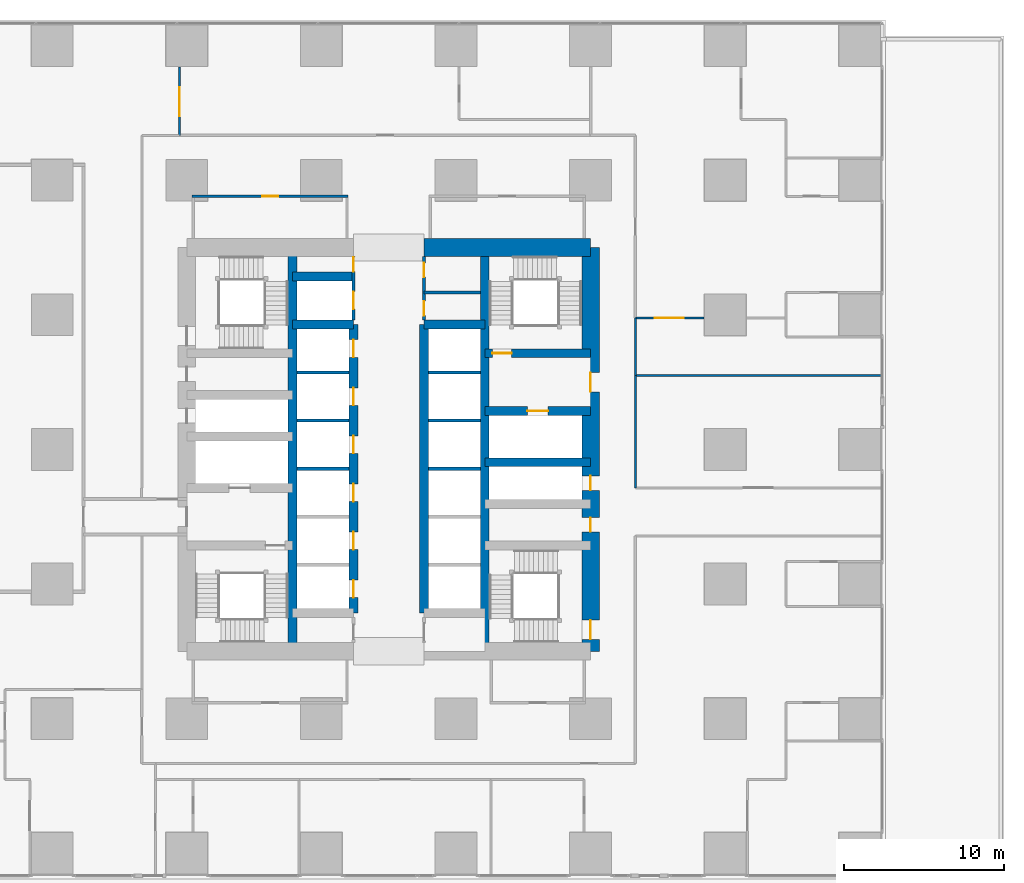
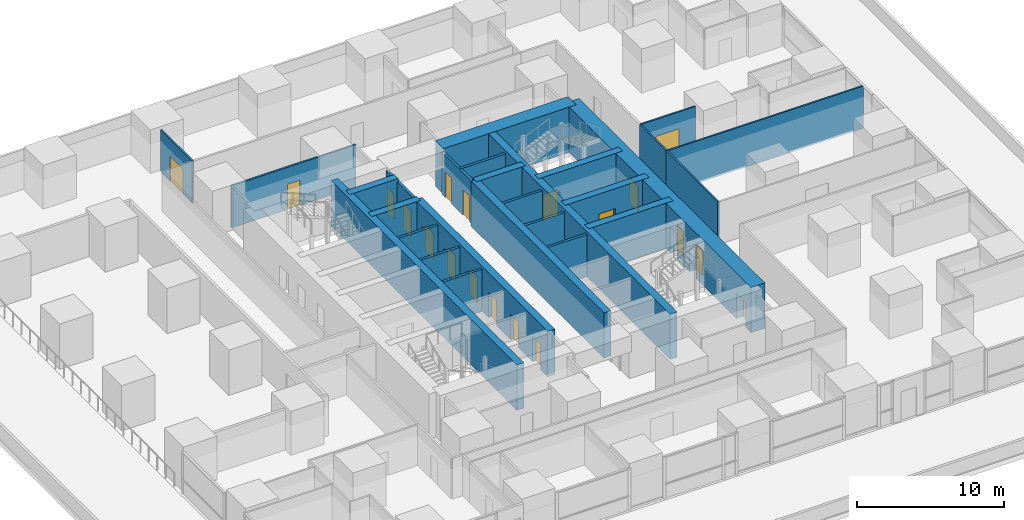
# One storey, part 24 of 35: 27 walls, 19 doors, 19 openings.
"""IFC4 building model written with IfcOpenShell, lengths in metres."""

from ifc_helpers import new_model, si_unit, direction, frame, frame_2d, origin, place, context, subcontext, project, spatial, rectangle, extrude, material, layer, layer_set, type_object, element, fill, save


model = new_model("IFC4")

# Units and contexts
model_context = context("Model", 3, precision=1e-05, world=origin(), true_north=direction((0.0, 1.0)))
body_context = subcontext(model_context, "Body", "Model", "MODEL_VIEW")
ifc_project = project(units=[si_unit("LENGTHUNIT", "METRE"), si_unit("AREAUNIT", "SQUARE_METRE"), si_unit("VOLUMEUNIT", "CUBIC_METRE"), si_unit("PLANEANGLEUNIT", "RADIAN"), si_unit("MASSUNIT", "GRAM", prefix="KILO")], contexts=[model_context])

# Site, building, storey
site_placement = place(None, origin())
site = spatial("IfcSite", under=ifc_project, at=site_placement, CompositionType="ELEMENT")
building_placement = place(site_placement, origin())
building = spatial("IfcBuilding", under=site, at=building_placement, Name="Rekha Terrace Tower", CompositionType="ELEMENT")
storey_placement = place(building_placement, frame((0.0, 0.0, 25.39990234375)))
storey = spatial("IfcBuildingStorey", under=building, at=storey_placement, Name="L05", CompositionType="ELEMENT", Elevation=25.39990234375)

# Walls
ifc_material_1 = material(Name="Concrete M70", Category="concrete")
ifc_layer_1 = layer(ifc_material_1, 0.550048828125)
ifc_layer_set_1 = layer_set([ifc_layer_1], Name="Concrete M70")
wall_type_1 = type_object("IfcWallType", Name="CI1 550 core internal shear wall", PredefinedType="SHEAR", material=ifc_layer_set_1)
for number, where, z_axis, x_axis, name in (
    (1, (31.800048828125, 21.0, 0.0), (0.0, 0.0, 1.0), (0.0, 1.0, 0.0), "Core wall X318 L05"),
    (2, (43.800048828125, 21.0, 0.0), (0.0, 0.0, 1.0), (0.0, 1.0, 0.0), "Core wall X438 L05"),
):
    element("IfcWall", number, at=place(storey_placement, frame(where, z_axis=z_axis, x_axis=x_axis)), inside=storey, type_object=wall_type_1, Name=name, PredefinedType="SHEAR", context=body_context, shape_type="SweptSolid", body=[
        extrude(rectangle(XDim=25.199951171875, YDim=0.550048828125, at=frame_2d((12.60009765625, 0.0))), origin(), (0.0, 0.0, 1.0), 3.75),
    ])

# Wall, openings, doors
wall_1_placement = place(storey_placement, frame((35.60009765625, 23.39990234375, 0.0), z_axis=(0.0, 0.0, 1.0), x_axis=(0.0, 1.0, 0.0)))
wall_1 = element("IfcWall", 3, at=wall_1_placement, inside=storey, type_object=wall_type_1, Name="Core wall X356 L05", PredefinedType="SHEAR", context=body_context, shape_type="SweptSolid", body=[
    extrude(rectangle(XDim=18.0, YDim=0.550048828125, at=frame_2d((9.0, 0.0))), origin(), (0.0, 0.0, 1.0), 3.75),
])
opening_1_placement = place(wall_1_placement, frame((0.949951171875, 0.0, 0.0)))
opening_1 = element("IfcOpeningElement", 4, at=opening_1_placement, cuts=wall_1, Name="Opening LD1", PredefinedType="OPENING", context=body_context, shape_type="SweptSolid", body=[
    extrude(rectangle(XDim=1.10009765625, YDim=2.10009765625, at=frame_2d((0.550048828125, 1.050048828125))), frame((0.0, 0.284912109375, 0.0), z_axis=(0.0, -1.0, 0.0), x_axis=(1.0, 0.0, 0.0)), (0.0, 0.0, 1.0), 0.570068359375),
])
opening_2_placement = place(wall_1_placement, frame((3.949951171875, 0.0, 0.0)))
opening_2 = element("IfcOpeningElement", 5, at=opening_2_placement, cuts=wall_1, Name="Opening LD1", PredefinedType="OPENING", context=body_context, shape_type="SweptSolid", body=[
    extrude(rectangle(XDim=1.10009765625, YDim=2.10009765625, at=frame_2d((0.550048828125, 1.050048828125))), frame((0.0, 0.284912109375, 0.0), z_axis=(0.0, -1.0, 0.0), x_axis=(1.0, 0.0, 0.0)), (0.0, 0.0, 1.0), 0.570068359375),
])
opening_3_placement = place(wall_1_placement, frame((6.949951171875, 0.0, 0.0)))
opening_3 = element("IfcOpeningElement", 6, at=opening_3_placement, cuts=wall_1, Name="Opening LD1", PredefinedType="OPENING", context=body_context, shape_type="SweptSolid", body=[
    extrude(rectangle(XDim=1.10009765625, YDim=2.10009765625, at=frame_2d((0.550048828125, 1.050048828125))), frame((0.0, 0.284912109375, 0.0), z_axis=(0.0, -1.0, 0.0), x_axis=(1.0, 0.0, 0.0)), (0.0, 0.0, 1.0), 0.570068359375),
])
opening_4_placement = place(wall_1_placement, frame((9.949951171875, 0.0, 0.0)))
opening_4 = element("IfcOpeningElement", 7, at=opening_4_placement, cuts=wall_1, Name="Opening LD1", PredefinedType="OPENING", context=body_context, shape_type="SweptSolid", body=[
    extrude(rectangle(XDim=1.10009765625, YDim=2.10009765625, at=frame_2d((0.550048828125, 1.050048828125))), frame((0.0, 0.284912109375, 0.0), z_axis=(0.0, -1.0, 0.0), x_axis=(1.0, 0.0, 0.0)), (0.0, 0.0, 1.0), 0.570068359375),
])
opening_5_placement = place(wall_1_placement, frame((12.949951171875, 0.0, 0.0)))
opening_5 = element("IfcOpeningElement", 8, at=opening_5_placement, cuts=wall_1, Name="Opening LD1", PredefinedType="OPENING", context=body_context, shape_type="SweptSolid", body=[
    extrude(rectangle(XDim=1.10009765625, YDim=2.10009765625, at=frame_2d((0.550048828125, 1.050048828125))), frame((0.0, 0.284912109375, 0.0), z_axis=(0.0, -1.0, 0.0), x_axis=(1.0, 0.0, 0.0)), (0.0, 0.0, 1.0), 0.570068359375),
])
opening_6_placement = place(wall_1_placement, frame((15.949951171875, 0.0, 0.0)))
opening_6 = element("IfcOpeningElement", 9, at=opening_6_placement, cuts=wall_1, Name="Opening LD1", PredefinedType="OPENING", context=body_context, shape_type="SweptSolid", body=[
    extrude(rectangle(XDim=1.10009765625, YDim=2.10009765625, at=frame_2d((0.550048828125, 1.050048828125))), frame((0.0, 0.284912109375, 0.0), z_axis=(0.0, -1.0, 0.0), x_axis=(1.0, 0.0, 0.0)), (0.0, 0.0, 1.0), 0.570068359375),
])
ifc_material_2 = material(Name="Stainless steel sliding landing door", Category="steel")
door_type_1 = type_object("IfcDoorType", Name="LD1 1100x2100 lift landing door", OperationType="SLIDING_TO_LEFT", PredefinedType="USERDEFINED", material=ifc_material_2)
door_1_placement = place(opening_1_placement, origin())
door_1 = element("IfcDoor", 10, at=door_1_placement, inside=storey, type_object=door_type_1, Name="Lift A1 landing door L05", ObjectType="LIFT LANDING DOOR", OperationType="SLIDING_TO_LEFT", OverallHeight=2.10009765625, OverallWidth=1.10009765625, PredefinedType="USERDEFINED", context=body_context, shape_type="SweptSolid", body=[
    extrude(rectangle(XDim=1.10009765625, YDim=2.10009765625, at=frame_2d((0.550048828125, 1.050048828125))), frame((0.0, 0.02490234375, 0.0), z_axis=(0.0, -1.0, 0.0), x_axis=(1.0, 0.0, 0.0)), (0.0, 0.0, 1.0), 0.050048828125),
])
fill(opening_1, door_1)
door_2_placement = place(opening_2_placement, origin())
door_2 = element("IfcDoor", 11, at=door_2_placement, inside=storey, type_object=door_type_1, Name="Lift A2 landing door L05", ObjectType="LIFT LANDING DOOR", OperationType="SLIDING_TO_LEFT", OverallHeight=2.10009765625, OverallWidth=1.10009765625, PredefinedType="USERDEFINED", context=body_context, shape_type="SweptSolid", body=[
    extrude(rectangle(XDim=1.10009765625, YDim=2.10009765625, at=frame_2d((0.550048828125, 1.050048828125))), frame((0.0, 0.02490234375, 0.0), z_axis=(0.0, -1.0, 0.0), x_axis=(1.0, 0.0, 0.0)), (0.0, 0.0, 1.0), 0.050048828125),
])
fill(opening_2, door_2)
door_3_placement = place(opening_3_placement, origin())
door_3 = element("IfcDoor", 12, at=door_3_placement, inside=storey, type_object=door_type_1, Name="Lift A3 landing door L05", ObjectType="LIFT LANDING DOOR", OperationType="SLIDING_TO_LEFT", OverallHeight=2.10009765625, OverallWidth=1.10009765625, PredefinedType="USERDEFINED", context=body_context, shape_type="SweptSolid", body=[
    extrude(rectangle(XDim=1.10009765625, YDim=2.10009765625, at=frame_2d((0.550048828125, 1.050048828125))), frame((0.0, 0.02490234375, 0.0), z_axis=(0.0, -1.0, 0.0), x_axis=(1.0, 0.0, 0.0)), (0.0, 0.0, 1.0), 0.050048828125),
])
fill(opening_3, door_3)
door_4_placement = place(opening_4_placement, origin())
door_4 = element("IfcDoor", 13, at=door_4_placement, inside=storey, type_object=door_type_1, Name="Lift A4 landing door L05", ObjectType="LIFT LANDING DOOR", OperationType="SLIDING_TO_LEFT", OverallHeight=2.10009765625, OverallWidth=1.10009765625, PredefinedType="USERDEFINED", context=body_context, shape_type="SweptSolid", body=[
    extrude(rectangle(XDim=1.10009765625, YDim=2.10009765625, at=frame_2d((0.550048828125, 1.050048828125))), frame((0.0, 0.02490234375, 0.0), z_axis=(0.0, -1.0, 0.0), x_axis=(1.0, 0.0, 0.0)), (0.0, 0.0, 1.0), 0.050048828125),
])
fill(opening_4, door_4)
door_5_placement = place(opening_5_placement, origin())
door_5 = element("IfcDoor", 14, at=door_5_placement, inside=storey, type_object=door_type_1, Name="Lift A5 landing door L05", ObjectType="LIFT LANDING DOOR", OperationType="SLIDING_TO_LEFT", OverallHeight=2.10009765625, OverallWidth=1.10009765625, PredefinedType="USERDEFINED", context=body_context, shape_type="SweptSolid", body=[
    extrude(rectangle(XDim=1.10009765625, YDim=2.10009765625, at=frame_2d((0.550048828125, 1.050048828125))), frame((0.0, 0.02490234375, 0.0), z_axis=(0.0, -1.0, 0.0), x_axis=(1.0, 0.0, 0.0)), (0.0, 0.0, 1.0), 0.050048828125),
])
fill(opening_5, door_5)
door_6_placement = place(opening_6_placement, origin())
door_6 = element("IfcDoor", 15, at=door_6_placement, inside=storey, type_object=door_type_1, Name="Lift A6 landing door L05", ObjectType="LIFT LANDING DOOR", OperationType="SLIDING_TO_LEFT", OverallHeight=2.10009765625, OverallWidth=1.10009765625, PredefinedType="USERDEFINED", context=body_context, shape_type="SweptSolid", body=[
    extrude(rectangle(XDim=1.10009765625, YDim=2.10009765625, at=frame_2d((0.550048828125, 1.050048828125))), frame((0.0, 0.02490234375, 0.0), z_axis=(0.0, -1.0, 0.0), x_axis=(1.0, 0.0, 0.0)), (0.0, 0.0, 1.0), 0.050048828125),
])
fill(opening_6, door_6)

# Walls
wall_2_placement = place(storey_placement, frame((40.0, 23.39990234375, 0.0), z_axis=(0.0, 0.0, 1.0), x_axis=(0.0, 1.0, 0.0)))
element("IfcWall", 16, at=wall_2_placement, inside=storey, type_object=wall_type_1, Name="Core wall X400 L05", PredefinedType="SHEAR", context=body_context, shape_type="SweptSolid", body=[
    extrude(rectangle(XDim=18.0, YDim=0.550048828125, at=frame_2d((9.0, 0.0))), origin(), (0.0, 0.0, 1.0), 3.75),
])
for number, where, z_axis, x_axis, name in (
    (17, (31.800048828125, 41.39990234375, 0.0), (0.0, 0.0, 1.0), (1.0, 0.0, 0.0), "Core wall Y414W L05"),
    (18, (31.800048828125, 44.39990234375, 0.0), (0.0, 0.0, 1.0), (1.0, 0.0, 0.0), "Core wall Y444W L05"),
    (19, (40.0, 41.39990234375, 0.0), (0.0, 0.0, 1.0), (1.0, 0.0, 0.0), "Core wall Y414E L05"),
):
    element("IfcWall", number, at=place(storey_placement, frame(where, z_axis=z_axis, x_axis=x_axis)), inside=storey, type_object=wall_type_1, Name=name, PredefinedType="SHEAR", context=body_context, shape_type="SweptSolid", body=[
        extrude(rectangle(XDim=3.800048828125, YDim=0.550048828125, at=frame_2d((1.89990234375, 0.0))), origin(), (0.0, 0.0, 1.0), 3.75),
    ])
wall_3_placement = place(storey_placement, frame((43.800048828125, 32.800048828125, 0.0), z_axis=(0.0, 0.0, 1.0), x_axis=(1.0, 0.0, 0.0)))
element("IfcWall", 20, at=wall_3_placement, inside=storey, type_object=wall_type_1, Name="Core wall Y328E L05", PredefinedType="SHEAR", context=body_context, shape_type="SweptSolid", body=[
    extrude(rectangle(XDim=6.599853515625, YDim=0.550048828125, at=frame_2d((3.2998046875, 0.0))), origin(), (0.0, 0.0, 1.0), 3.75),
])

# Wall, opening, door
wall_4_placement = place(storey_placement, frame((43.800048828125, 36.0, 0.0), z_axis=(0.0, 0.0, 1.0), x_axis=(1.0, 0.0, 0.0)))
wall_4 = element("IfcWall", 21, at=wall_4_placement, inside=storey, type_object=wall_type_1, Name="Core wall Y360E L05", PredefinedType="SHEAR", context=body_context, shape_type="SweptSolid", body=[
    extrude(rectangle(XDim=6.599853515625, YDim=0.550048828125, at=frame_2d((3.2998046875, 0.0))), origin(), (0.0, 0.0, 1.0), 3.75),
])
opening_7_placement = place(wall_4_placement, frame((2.64990234375, 0.0, 0.0)))
opening_7 = element("IfcOpeningElement", 22, at=opening_7_placement, cuts=wall_4, Name="Opening LD2", PredefinedType="OPENING", context=body_context, shape_type="SweptSolid", body=[
    extrude(rectangle(XDim=1.300048828125, YDim=2.10009765625, at=frame_2d((0.64990234375, 1.050048828125))), frame((0.0, 0.284912109375, 0.0), z_axis=(0.0, -1.0, 0.0), x_axis=(1.0, 0.0, 0.0)), (0.0, 0.0, 1.0), 0.570068359375),
])
door_type_2 = type_object("IfcDoorType", Name="LD2 1300x2100 fire lift landing door", OperationType="SLIDING_TO_LEFT", PredefinedType="USERDEFINED", material=ifc_material_2)
door_7_placement = place(opening_7_placement, origin())
door_7 = element("IfcDoor", 23, at=door_7_placement, inside=storey, type_object=door_type_2, Name="Lift FL2 landing door L05", ObjectType="LIFT LANDING DOOR", OperationType="SLIDING_TO_LEFT", OverallHeight=2.10009765625, OverallWidth=1.300048828125, PredefinedType="USERDEFINED", context=body_context, shape_type="SweptSolid", body=[
    extrude(rectangle(XDim=1.300048828125, YDim=2.10009765625, at=frame_2d((0.64990234375, 1.050048828125))), frame((0.0, 0.02490234375, 0.0), z_axis=(0.0, -1.0, 0.0), x_axis=(1.0, 0.0, 0.0)), (0.0, 0.0, 1.0), 0.050048828125),
])
fill(opening_7, door_7)

wall_5_placement = place(storey_placement, frame((43.800048828125, 39.60009765625, 0.0), z_axis=(0.0, 0.0, 1.0), x_axis=(1.0, 0.0, 0.0)))
wall_5 = element("IfcWall", 24, at=wall_5_placement, inside=storey, type_object=wall_type_1, Name="Core wall Y396E L05", PredefinedType="SHEAR", context=body_context, shape_type="SweptSolid", body=[
    extrude(rectangle(XDim=6.599853515625, YDim=0.550048828125, at=frame_2d((3.2998046875, 0.0))), origin(), (0.0, 0.0, 1.0), 3.75),
])
opening_8_placement = place(wall_5_placement, frame((0.47509765625, 0.0, 0.0)))
opening_8 = element("IfcOpeningElement", 25, at=opening_8_placement, cuts=wall_5, Name="Opening D1", PredefinedType="OPENING", context=body_context, shape_type="SweptSolid", body=[
    extrude(rectangle(XDim=1.199951171875, YDim=2.10009765625, at=frame_2d((0.60009765625, 1.050048828125))), frame((0.0, 0.284912109375, 0.0), z_axis=(0.0, -1.0, 0.0), x_axis=(1.0, 0.0, 0.0)), (0.0, 0.0, 1.0), 0.570068359375),
])
ifc_material_3 = material(Name="Steel fire door", Category="steel")
door_type_3 = type_object("IfcDoorType", Name="D1 1200x2100 stair fire door", OperationType="SINGLE_SWING_RIGHT", PredefinedType="DOOR", material=ifc_material_3)
door_8_placement = place(opening_8_placement, origin())
door_8 = element("IfcDoor", 26, at=door_8_placement, inside=storey, type_object=door_type_3, Name="Stair ST2 door L05", OperationType="SINGLE_SWING_RIGHT", OverallHeight=2.10009765625, OverallWidth=1.199951171875, PredefinedType="DOOR", context=body_context, shape_type="SweptSolid", body=[
    extrude(rectangle(XDim=1.199951171875, YDim=2.10009765625, at=frame_2d((0.60009765625, 1.050048828125))), frame((0.0, 0.02490234375, 0.0), z_axis=(0.0, -1.0, 0.0), x_axis=(1.0, 0.0, 0.0)), (0.0, 0.0, 1.0), 0.050048828125),
])
fill(opening_8, door_8)

# Wall
ifc_layer_2 = layer(ifc_material_1, 1.10009765625)
ifc_layer_set_2 = layer_set([ifc_layer_2], Name="Concrete M70")
wall_type_2 = type_object("IfcWallType", Name="SW1 1100 core outer shear wall", PredefinedType="SHEAR", material=ifc_layer_set_2)
wall_6_placement = place(storey_placement, frame((40.0, 46.199951171875, 0.0), z_axis=(0.0, 0.0, 1.0), x_axis=(1.0, 0.0, 0.0)))
element("IfcWall", 27, at=wall_6_placement, inside=storey, type_object=wall_type_2, Name="Core wall N2 L05", PredefinedType="SHEAR", context=body_context, shape_type="SweptSolid", body=[
    extrude(rectangle(XDim=10.39990234375, YDim=1.10009765625, at=frame_2d((5.199951171875, 0.0))), origin(), (0.0, 0.0, 1.0), 3.75),
])

# Wall, openings, doors
wall_7_placement = place(storey_placement, frame((50.39990234375, 21.0, 0.0), z_axis=(0.0, 0.0, 1.0), x_axis=(0.0, 1.0, 0.0)))
wall_7 = element("IfcWall", 28, at=wall_7_placement, inside=storey, type_object=wall_type_2, Name="Core wall E L05", PredefinedType="SHEAR", context=body_context, shape_type="SweptSolid", body=[
    extrude(rectangle(XDim=25.199951171875, YDim=1.10009765625, at=frame_2d((12.60009765625, 0.0))), origin(), (0.0, 0.0, 1.0), 3.75),
])
opening_9_placement = place(wall_7_placement, frame((16.199951171875, 0.0, 0.0)))
opening_9 = element("IfcOpeningElement", 29, at=opening_9_placement, cuts=wall_7, Name="Opening D2", PredefinedType="OPENING", context=body_context, shape_type="SweptSolid", body=[
    extrude(rectangle(XDim=1.199951171875, YDim=2.10009765625, at=frame_2d((0.60009765625, 1.050048828125))), frame((0.0, 0.56005859375, 0.0), z_axis=(0.0, -1.0, 0.0), x_axis=(1.0, 0.0, 0.0)), (0.0, 0.0, 1.0), 1.1201171875),
])
opening_10_placement = place(wall_7_placement, frame((10.050048828125, 0.0, 0.0)))
opening_10 = element("IfcOpeningElement", 30, at=opening_10_placement, cuts=wall_7, Name="Opening D5", PredefinedType="OPENING", context=body_context, shape_type="SweptSolid", body=[
    extrude(rectangle(XDim=0.89990234375, YDim=2.10009765625, at=frame_2d((0.449951171875, 1.050048828125))), frame((0.0, 0.56005859375, 0.0), z_axis=(0.0, -1.0, 0.0), x_axis=(1.0, 0.0, 0.0)), (0.0, 0.0, 1.0), 1.1201171875),
])
opening_11_placement = place(wall_7_placement, frame((7.449951171875, 0.0, 0.0)))
opening_11 = element("IfcOpeningElement", 31, at=opening_11_placement, cuts=wall_7, Name="Opening D5", PredefinedType="OPENING", context=body_context, shape_type="SweptSolid", body=[
    extrude(rectangle(XDim=0.89990234375, YDim=2.10009765625, at=frame_2d((0.449951171875, 1.050048828125))), frame((0.0, 0.56005859375, 0.0), z_axis=(0.0, -1.0, 0.0), x_axis=(1.0, 0.0, 0.0)), (0.0, 0.0, 1.0), 1.1201171875),
])
opening_12_placement = place(wall_7_placement, frame((0.75, 0.0, 0.0)))
opening_12 = element("IfcOpeningElement", 32, at=opening_12_placement, cuts=wall_7, Name="Opening D1", PredefinedType="OPENING", context=body_context, shape_type="SweptSolid", body=[
    extrude(rectangle(XDim=1.199951171875, YDim=2.10009765625, at=frame_2d((0.60009765625, 1.050048828125))), frame((0.0, 0.56005859375, 0.0), z_axis=(0.0, -1.0, 0.0), x_axis=(1.0, 0.0, 0.0)), (0.0, 0.0, 1.0), 1.1201171875),
])
door_9_placement = place(opening_12_placement, origin())
door_9 = element("IfcDoor", 33, at=door_9_placement, inside=storey, type_object=door_type_3, Name="Stair ST3 door L05", OperationType="SINGLE_SWING_RIGHT", OverallHeight=2.10009765625, OverallWidth=1.199951171875, PredefinedType="DOOR", context=body_context, shape_type="SweptSolid", body=[
    extrude(rectangle(XDim=1.199951171875, YDim=2.10009765625, at=frame_2d((0.60009765625, 1.050048828125))), frame((0.0, 0.02490234375, 0.0), z_axis=(0.0, -1.0, 0.0), x_axis=(1.0, 0.0, 0.0)), (0.0, 0.0, 1.0), 0.050048828125),
])
fill(opening_12, door_9)
door_type_4 = type_object("IfcDoorType", Name="D2 1200x2100 firefighting lobby door", OperationType="SINGLE_SWING_LEFT", PredefinedType="DOOR", material=ifc_material_3)
door_10_placement = place(opening_9_placement, origin())
door_10 = element("IfcDoor", 34, at=door_10_placement, inside=storey, type_object=door_type_4, Name="Door flb2 L05", OperationType="SINGLE_SWING_LEFT", OverallHeight=2.10009765625, OverallWidth=1.199951171875, PredefinedType="DOOR", context=body_context, shape_type="SweptSolid", body=[
    extrude(rectangle(XDim=1.199951171875, YDim=2.10009765625, at=frame_2d((0.60009765625, 1.050048828125))), frame((0.0, 0.02490234375, 0.0), z_axis=(0.0, -1.0, 0.0), x_axis=(1.0, 0.0, 0.0)), (0.0, 0.0, 1.0), 0.050048828125),
])
fill(opening_9, door_10)
door_type_5 = type_object("IfcDoorType", Name="D5 900x2100 riser access door", OperationType="SINGLE_SWING_LEFT", PredefinedType="DOOR", material=ifc_material_3)
door_11_placement = place(opening_10_placement, origin())
door_11 = element("IfcDoor", 35, at=door_11_placement, inside=storey, type_object=door_type_5, Name="Door rs2 L05", OperationType="SINGLE_SWING_LEFT", OverallHeight=2.10009765625, OverallWidth=0.89990234375, PredefinedType="DOOR", context=body_context, shape_type="SweptSolid", body=[
    extrude(rectangle(XDim=0.89990234375, YDim=2.10009765625, at=frame_2d((0.449951171875, 1.050048828125))), frame((0.0, 0.02490234375, 0.0), z_axis=(0.0, -1.0, 0.0), x_axis=(1.0, 0.0, 0.0)), (0.0, 0.0, 1.0), 0.050048828125),
])
fill(opening_10, door_11)
door_12_placement = place(opening_11_placement, origin())
door_12 = element("IfcDoor", 36, at=door_12_placement, inside=storey, type_object=door_type_5, Name="Door ele L05", OperationType="SINGLE_SWING_LEFT", OverallHeight=2.10009765625, OverallWidth=0.89990234375, PredefinedType="DOOR", context=body_context, shape_type="SweptSolid", body=[
    extrude(rectangle(XDim=0.89990234375, YDim=2.10009765625, at=frame_2d((0.449951171875, 1.050048828125))), frame((0.0, 0.02490234375, 0.0), z_axis=(0.0, -1.0, 0.0), x_axis=(1.0, 0.0, 0.0)), (0.0, 0.0, 1.0), 0.050048828125),
])
fill(opening_11, door_12)

# Wall, opening, door
ifc_material_4 = material(Name="Concrete block masonry, 1 hour", Category="masonry")
ifc_layer_3 = layer(ifc_material_4, 0.14990234375)
ifc_layer_set_3 = layer_set([ifc_layer_3], Name="Concrete block masonry, 1 hour")
wall_type_3 = type_object("IfcWallType", Name="WP2 150 tenancy partition", PredefinedType="PARTITIONING", material=ifc_layer_set_3)
wall_8_placement = place(storey_placement, frame((25.52490234375, 49.39990234375, 0.0), z_axis=(0.0, 0.0, 1.0), x_axis=(1.0, 0.0, 0.0)))
wall_8 = element("IfcWall", 37, at=wall_8_placement, inside=storey, type_object=wall_type_3, Name="Women's WC wall L05", PredefinedType="PARTITIONING", context=body_context, shape_type="SweptSolid", body=[
    extrude(rectangle(XDim=9.75, YDim=0.14990234375, at=frame_2d((4.875, 0.0))), origin(), (0.0, 0.0, 1.0), 3.5),
])
opening_13_placement = place(wall_8_placement, frame((4.375, 0.0, 0.0)))
opening_13 = element("IfcOpeningElement", 38, at=opening_13_placement, cuts=wall_8, Name="Opening D3", PredefinedType="OPENING", context=body_context, shape_type="SweptSolid", body=[
    extrude(rectangle(XDim=1.0, YDim=2.10009765625, at=frame_2d((0.5, 1.050048828125))), frame((0.0, 0.0849609375, 0.0), z_axis=(0.0, -1.0, 0.0), x_axis=(1.0, 0.0, 0.0)), (0.0, 0.0, 1.0), 0.169921875),
])
ifc_material_5 = material(Name="Laminated timber fire door", Category="wood")
door_type_6 = type_object("IfcDoorType", Name="D3 1000x2100 WC door", OperationType="SINGLE_SWING_LEFT", PredefinedType="DOOR", material=ifc_material_5)
door_13_placement = place(opening_13_placement, origin())
door_13 = element("IfcDoor", 39, at=door_13_placement, inside=storey, type_object=door_type_6, Name="Door women's wc L05", OperationType="SINGLE_SWING_LEFT", OverallHeight=2.10009765625, OverallWidth=1.0, PredefinedType="DOOR", context=body_context, shape_type="SweptSolid", body=[
    extrude(rectangle(XDim=1.0, YDim=2.10009765625, at=frame_2d((0.5, 1.050048828125))), frame((0.0, 0.02490234375, 0.0), z_axis=(0.0, -1.0, 0.0), x_axis=(1.0, 0.0, 0.0)), (0.0, 0.0, 1.0), 0.050048828125),
])
fill(opening_13, door_13)

# Walls
ifc_material_6 = material(Name="Two layers of fire-rated gypsum board each side on steel studs, acoustic quilt, 1 hour", Category="steel")
ifc_layer_4 = layer(ifc_material_6, 0.125)
ifc_layer_set_4 = layer_set([ifc_layer_4], Name="Two layers of fire-rated gypsum board each side on steel studs, acoustic quilt, 1 hour")
wall_type_4 = type_object("IfcWallType", Name="WP3 125 office partition", PredefinedType="PARTITIONING", material=ifc_layer_set_4)
wall_9_placement = place(storey_placement, frame((53.199951171875, 31.199951171875, 0.0), z_axis=(0.0, 0.0, 1.0), x_axis=(0.0, 1.0, 0.0)))
element("IfcWall", 40, at=wall_9_placement, inside=storey, type_object=wall_type_4, Name="Partition L05-12", PredefinedType="PARTITIONING", context=body_context, shape_type="SweptSolid", body=[
    extrude(rectangle(XDim=7.0, YDim=0.125, at=frame_2d((3.5, 0.0))), origin(), (0.0, 0.0, 1.0), 3.5),
])
wall_10_placement = place(storey_placement, frame((53.199951171875, 38.199951171875, 0.0), z_axis=(0.0, 0.0, 1.0), x_axis=(1.0, 0.0, 0.0)))
element("IfcWall", 41, at=wall_10_placement, inside=storey, type_object=wall_type_4, Name="Partition L05-12", PredefinedType="PARTITIONING", context=body_context, shape_type="SweptSolid", body=[
    extrude(rectangle(XDim=15.35009765625, YDim=0.125, at=frame_2d((7.675048828125, 0.0))), origin(), (0.0, 0.0, 1.0), 3.5),
])
wall_11_placement = place(storey_placement, frame((53.199951171875, 38.199951171875, 0.0), z_axis=(0.0, 0.0, 1.0), x_axis=(0.0, 1.0, 0.0)))
element("IfcWall", 42, at=wall_11_placement, inside=storey, type_object=wall_type_4, Name="Partition L05-13", PredefinedType="PARTITIONING", context=body_context, shape_type="SweptSolid", body=[
    extrude(rectangle(XDim=3.60009765625, YDim=0.125, at=frame_2d((1.800048828125, 0.0))), origin(), (0.0, 0.0, 1.0), 3.5),
])

# Wall, opening, door
wall_12_placement = place(storey_placement, frame((53.199951171875, 41.800048828125, 0.0), z_axis=(0.0, 0.0, 1.0), x_axis=(1.0, 0.0, 0.0)))
wall_12 = element("IfcWall", 43, at=wall_12_placement, inside=storey, type_object=wall_type_4, Name="Partition L05-13", PredefinedType="PARTITIONING", context=body_context, shape_type="SweptSolid", body=[
    extrude(rectangle(XDim=4.280029296875, YDim=0.125, at=frame_2d((2.14013671875, 0.0))), origin(), (0.0, 0.0, 1.0), 3.5),
])
opening_14_placement = place(wall_12_placement, frame((1.205078125, 0.0, 0.0)))
opening_14 = element("IfcOpeningElement", 44, at=opening_14_placement, cuts=wall_12, Name="Opening D8", PredefinedType="OPENING", context=body_context, shape_type="SweptSolid", body=[
    extrude(rectangle(XDim=1.800048828125, YDim=2.10009765625, at=frame_2d((0.89990234375, 1.050048828125))), frame((0.0, 0.072509765625, 0.0), z_axis=(0.0, -1.0, 0.0), x_axis=(1.0, 0.0, 0.0)), (0.0, 0.0, 1.0), 0.14501953125),
])
ifc_material_7 = material(Name="Timber fire door", Category="wood")
door_type_7 = type_object("IfcDoorType", Name="D8 1800x2100 double leaf door", OperationType="DOUBLE_DOOR_SINGLE_SWING", PredefinedType="DOOR", material=ifc_material_7)
door_14_placement = place(opening_14_placement, origin())
door_14 = element("IfcDoor", 45, at=door_14_placement, inside=storey, type_object=door_type_7, Name="Door mail room L05", OperationType="DOUBLE_DOOR_SINGLE_SWING", OverallHeight=2.10009765625, OverallWidth=1.800048828125, PredefinedType="DOOR", context=body_context, shape_type="SweptSolid", body=[
    extrude(rectangle(XDim=1.800048828125, YDim=2.10009765625, at=frame_2d((0.89990234375, 1.050048828125))), frame((0.0, 0.02490234375, 0.0), z_axis=(0.0, -1.0, 0.0), x_axis=(1.0, 0.0, 0.0)), (0.0, 0.0, 1.0), 0.050048828125),
])
fill(opening_14, door_14)

wall_13_placement = place(storey_placement, frame((24.75, 57.47998046875, 0.0), z_axis=(0.0, 0.0, 1.0), x_axis=(0.0, -1.0, 0.0)))
wall_13 = element("IfcWall", 46, at=wall_13_placement, inside=storey, type_object=wall_type_4, Name="Partition L05-15", PredefinedType="PARTITIONING", context=body_context, shape_type="SweptSolid", body=[
    extrude(rectangle(XDim=4.280029296875, YDim=0.125, at=frame_2d((2.14013671875, 0.0))), origin(), (0.0, 0.0, 1.0), 3.5),
])
opening_15_placement = place(wall_13_placement, frame((1.27490234375, 0.0, 0.0)))
opening_15 = element("IfcOpeningElement", 47, at=opening_15_placement, cuts=wall_13, Name="Opening D8", PredefinedType="OPENING", context=body_context, shape_type="SweptSolid", body=[
    extrude(rectangle(XDim=1.800048828125, YDim=2.10009765625, at=frame_2d((0.89990234375, 1.050048828125))), frame((0.0, 0.072509765625, 0.0), z_axis=(0.0, -1.0, 0.0), x_axis=(1.0, 0.0, 0.0)), (0.0, 0.0, 1.0), 0.14501953125),
])
door_15_placement = place(opening_15_placement, origin())
door_15 = element("IfcDoor", 48, at=door_15_placement, inside=storey, type_object=door_type_7, Name="Door business lounge L05", OperationType="DOUBLE_DOOR_SINGLE_SWING", OverallHeight=2.10009765625, OverallWidth=1.800048828125, PredefinedType="DOOR", context=body_context, shape_type="SweptSolid", body=[
    extrude(rectangle(XDim=1.800048828125, YDim=2.10009765625, at=frame_2d((0.89990234375, 1.050048828125))), frame((0.0, 0.02490234375, 0.0), z_axis=(0.0, -1.0, 0.0), x_axis=(1.0, 0.0, 0.0)), (0.0, 0.0, 1.0), 0.050048828125),
])
fill(opening_15, door_15)

# Walls
ifc_material_8 = material(Name="Solid concrete block masonry, 2 hour", Category="masonry")
ifc_layer_5 = layer(ifc_material_8, 0.199951171875)
ifc_layer_set_5 = layer_set([ifc_layer_5], Name="Solid concrete block masonry, 2 hour")
wall_type_5 = type_object("IfcWallType", Name="WS1 200 stair and shaft enclosure", PredefinedType="PARTITIONING", material=ifc_layer_set_5)
for number, where, z_axis, x_axis, name in (
    (49, (32.074951171875, 32.39990234375, 0.0), (0.0, 0.0, 1.0), (1.0, 0.0, 0.0), "Lift shaft divider L05"),
    (50, (32.074951171875, 35.39990234375, 0.0), (0.0, 0.0, 1.0), (1.0, 0.0, 0.0), "Lift shaft divider L05"),
    (51, (32.074951171875, 38.39990234375, 0.0), (0.0, 0.0, 1.0), (1.0, 0.0, 0.0), "Lift shaft divider L05"),
    (52, (40.27490234375, 32.39990234375, 0.0), (0.0, 0.0, 1.0), (1.0, 0.0, 0.0), "Lift shaft divider L05"),
    (53, (40.27490234375, 35.39990234375, 0.0), (0.0, 0.0, 1.0), (1.0, 0.0, 0.0), "Lift shaft divider L05"),
    (54, (40.27490234375, 38.39990234375, 0.0), (0.0, 0.0, 1.0), (1.0, 0.0, 0.0), "Lift shaft divider L05"),
):
    element("IfcWall", number, at=place(storey_placement, frame(where, z_axis=z_axis, x_axis=x_axis)), inside=storey, type_object=wall_type_5, Name=name, PredefinedType="PARTITIONING", context=body_context, shape_type="SweptSolid", body=[
        extrude(rectangle(XDim=3.25, YDim=0.199951171875, at=frame_2d((1.625, 0.0))), origin(), (0.0, 0.0, 1.0), 3.5),
    ])

# Wall, openings, doors
wall_14_placement = place(storey_placement, frame((40.0, 41.675048828125, 0.0), z_axis=(0.0, 0.0, 1.0), x_axis=(0.0, 1.0, 0.0)))
wall_14 = element("IfcWall", 55, at=wall_14_placement, inside=storey, type_object=wall_type_5, Name="Core partition elec L05", PredefinedType="PARTITIONING", context=body_context, shape_type="SweptSolid", body=[
    extrude(rectangle(XDim=3.974853515625, YDim=0.199951171875, at=frame_2d((1.9873046875, 0.0))), origin(), (0.0, 0.0, 1.0), 3.5),
])
opening_16_placement = place(wall_14_placement, frame((2.675048828125, 0.0, 0.0)))
opening_16 = element("IfcOpeningElement", 56, at=opening_16_placement, cuts=wall_14, Name="Opening D5", PredefinedType="OPENING", context=body_context, shape_type="SweptSolid", body=[
    extrude(rectangle(XDim=0.89990234375, YDim=2.10009765625, at=frame_2d((0.449951171875, 1.050048828125))), frame((0.0, 0.10986328125, 0.0), z_axis=(0.0, -1.0, 0.0), x_axis=(1.0, 0.0, 0.0)), (0.0, 0.0, 1.0), 0.219970703125),
])
opening_17_placement = place(wall_14_placement, frame((0.27490234375, 0.0, 0.0)))
opening_17 = element("IfcOpeningElement", 57, at=opening_17_placement, cuts=wall_14, Name="Opening D5", PredefinedType="OPENING", context=body_context, shape_type="SweptSolid", body=[
    extrude(rectangle(XDim=0.89990234375, YDim=2.10009765625, at=frame_2d((0.449951171875, 1.050048828125))), frame((0.0, 0.10986328125, 0.0), z_axis=(0.0, -1.0, 0.0), x_axis=(1.0, 0.0, 0.0)), (0.0, 0.0, 1.0), 0.219970703125),
])
door_16_placement = place(opening_16_placement, origin())
door_16 = element("IfcDoor", 58, at=door_16_placement, inside=storey, type_object=door_type_5, Name="Door electrical room L05", OperationType="SINGLE_SWING_LEFT", OverallHeight=2.10009765625, OverallWidth=0.89990234375, PredefinedType="DOOR", context=body_context, shape_type="SweptSolid", body=[
    extrude(rectangle(XDim=0.89990234375, YDim=2.10009765625, at=frame_2d((0.449951171875, 1.050048828125))), frame((0.0, 0.02490234375, 0.0), z_axis=(0.0, -1.0, 0.0), x_axis=(1.0, 0.0, 0.0)), (0.0, 0.0, 1.0), 0.050048828125),
])
fill(opening_16, door_16)
door_17_placement = place(opening_17_placement, origin())
door_17 = element("IfcDoor", 59, at=door_17_placement, inside=storey, type_object=door_type_5, Name="Door records store L05", OperationType="SINGLE_SWING_LEFT", OverallHeight=2.10009765625, OverallWidth=0.89990234375, PredefinedType="DOOR", context=body_context, shape_type="SweptSolid", body=[
    extrude(rectangle(XDim=0.89990234375, YDim=2.10009765625, at=frame_2d((0.449951171875, 1.050048828125))), frame((0.0, 0.02490234375, 0.0), z_axis=(0.0, -1.0, 0.0), x_axis=(1.0, 0.0, 0.0)), (0.0, 0.0, 1.0), 0.050048828125),
])
fill(opening_17, door_17)

wall_15_placement = place(storey_placement, frame((35.60009765625, 41.675048828125, 0.0), z_axis=(0.0, 0.0, 1.0), x_axis=(0.0, 1.0, 0.0)))
wall_15 = element("IfcWall", 60, at=wall_15_placement, inside=storey, type_object=wall_type_5, Name="Core partition jansv L05", PredefinedType="PARTITIONING", context=body_context, shape_type="SweptSolid", body=[
    extrude(rectangle(XDim=3.974853515625, YDim=0.199951171875, at=frame_2d((1.9873046875, 0.0))), origin(), (0.0, 0.0, 1.0), 3.5),
])
opening_18_placement = place(wall_15_placement, frame((3.02490234375, 0.0, 0.0)))
opening_18 = element("IfcOpeningElement", 61, at=opening_18_placement, cuts=wall_15, Name="Opening D5", PredefinedType="OPENING", context=body_context, shape_type="SweptSolid", body=[
    extrude(rectangle(XDim=0.89990234375, YDim=2.10009765625, at=frame_2d((0.449951171875, 1.050048828125))), frame((0.0, 0.10986328125, 0.0), z_axis=(0.0, -1.0, 0.0), x_axis=(1.0, 0.0, 0.0)), (0.0, 0.0, 1.0), 0.219970703125),
])
opening_19_placement = place(wall_15_placement, frame((0.675048828125, 0.0, 0.0)))
opening_19 = element("IfcOpeningElement", 62, at=opening_19_placement, cuts=wall_15, Name="Opening LD1", PredefinedType="OPENING", context=body_context, shape_type="SweptSolid", body=[
    extrude(rectangle(XDim=1.10009765625, YDim=2.10009765625, at=frame_2d((0.550048828125, 1.050048828125))), frame((0.0, 0.10986328125, 0.0), z_axis=(0.0, -1.0, 0.0), x_axis=(1.0, 0.0, 0.0)), (0.0, 0.0, 1.0), 0.219970703125),
])
door_18_placement = place(opening_18_placement, origin())
door_18 = element("IfcDoor", 63, at=door_18_placement, inside=storey, type_object=door_type_5, Name="Door janitor room L05", OperationType="SINGLE_SWING_LEFT", OverallHeight=2.10009765625, OverallWidth=0.89990234375, PredefinedType="DOOR", context=body_context, shape_type="SweptSolid", body=[
    extrude(rectangle(XDim=0.89990234375, YDim=2.10009765625, at=frame_2d((0.449951171875, 1.050048828125))), frame((0.0, 0.02490234375, 0.0), z_axis=(0.0, -1.0, 0.0), x_axis=(1.0, 0.0, 0.0)), (0.0, 0.0, 1.0), 0.050048828125),
])
fill(opening_18, door_18)
door_19_placement = place(opening_19_placement, origin())
door_19 = element("IfcDoor", 64, at=door_19_placement, inside=storey, type_object=door_type_1, Name="Lift SV1 landing door L05", ObjectType="LIFT LANDING DOOR", OperationType="SLIDING_TO_LEFT", OverallHeight=2.10009765625, OverallWidth=1.10009765625, PredefinedType="USERDEFINED", context=body_context, shape_type="SweptSolid", body=[
    extrude(rectangle(XDim=1.10009765625, YDim=2.10009765625, at=frame_2d((0.550048828125, 1.050048828125))), frame((0.0, 0.02490234375, 0.0), z_axis=(0.0, -1.0, 0.0), x_axis=(1.0, 0.0, 0.0)), (0.0, 0.0, 1.0), 0.050048828125),
])
fill(opening_19, door_19)

# Wall
wall_16_placement = place(storey_placement, frame((40.0, 43.39990234375, 0.0), z_axis=(0.0, 0.0, 1.0), x_axis=(1.0, 0.0, 0.0)))
element("IfcWall", 65, at=wall_16_placement, inside=storey, type_object=wall_type_5, Name="Core partition elx L05", PredefinedType="PARTITIONING", context=body_context, shape_type="SweptSolid", body=[
    extrude(rectangle(XDim=3.52490234375, YDim=0.199951171875, at=frame_2d((1.762451171875, 0.0))), origin(), (0.0, 0.0, 1.0), 3.5),
])

save(model, "model.ifc")
